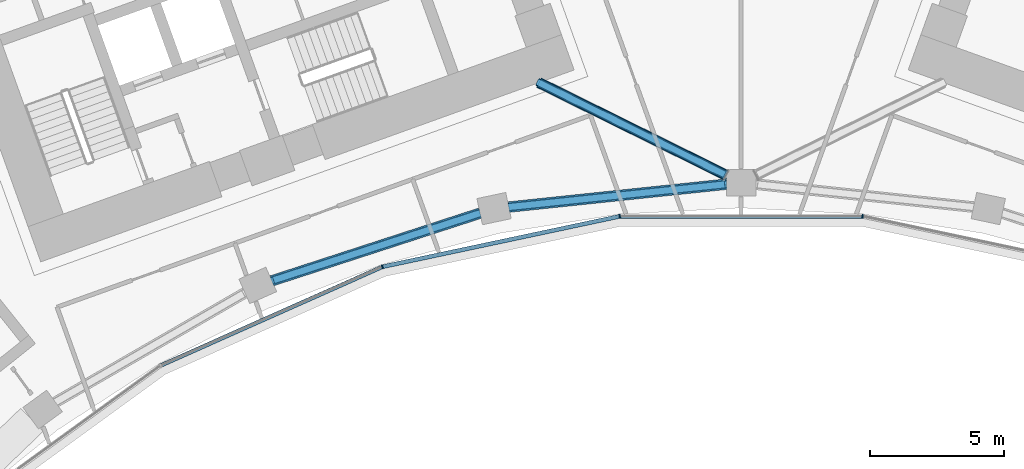
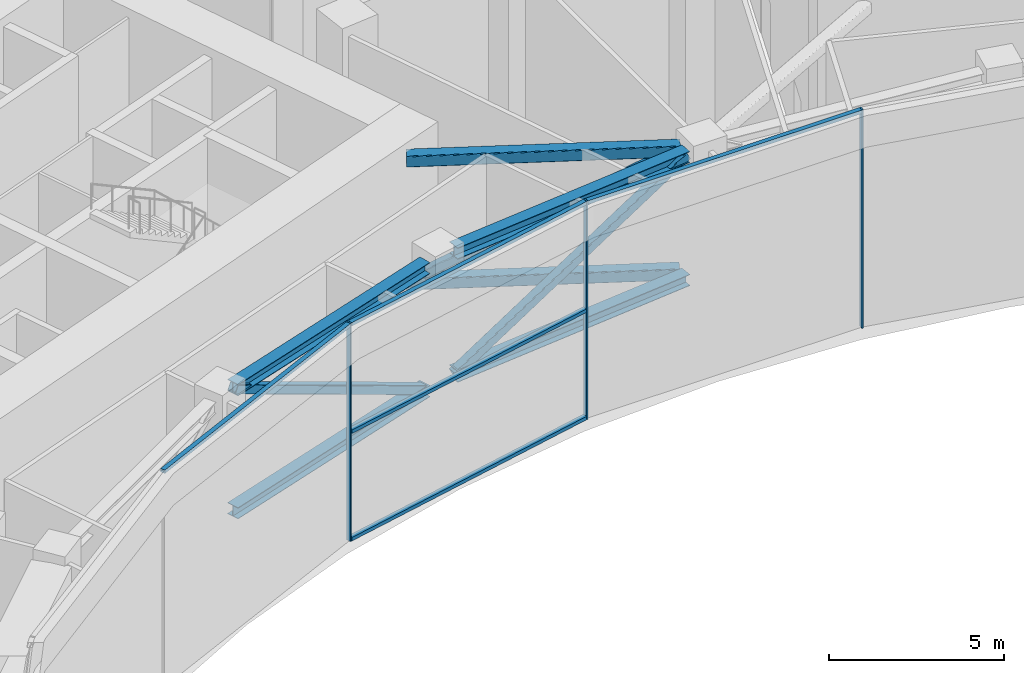
# One storey, part 5 of 32: 17 members, 1 element without a shape of its own.
"""IFC4 building model written with IfcOpenShell, lengths in metres."""

import ifcopenshell
import ifcopenshell.guid

model = None  # the IFC model being written
_history = None  # IfcOwnerHistory: only IFC2X3 demands one
_inside = {}  # id of a spatial element -> (the spatial element, [elements in it])
_under = {}  # id of a project, library or spatial element -> (it, [spatial elements below it])
_declared = {}  # id of a project -> (the project, [libraries it declares])
_typed = {}  # id of a type object -> (the type object, [elements of that type])
_made_of = {}  # id of a material, layer set ... -> (it, [elements and type objects made of it])


def new_model(schema):
    """Start an empty IFC model of exactly this schema.

    Asked for "IFC4X3", IfcOpenShell would pick the latest addendum, in which some entities
    have other attributes; the version numbers below select the first issue.
    IFC2X3 requires an IfcOwnerHistory on every rooted entity: one is made here for all.
    """
    global model, _history
    if schema == "IFC4X3":
        model = ifcopenshell.file(schema_version=(4, 3, 0, 0))
    else:
        model = ifcopenshell.file(schema=schema)
    _inside.clear()
    _under.clear()
    _declared.clear()
    _typed.clear()
    _made_of.clear()
    _history = None
    if model.schema == "IFC2X3":
        org = make("IfcOrganization", Name="unknown")
        user = make(
            "IfcPersonAndOrganization",
            ThePerson=make("IfcPerson", FamilyName="unknown"),
            TheOrganization=org,
        )
        app = make(
            "IfcApplication",
            ApplicationDeveloper=org,
            Version="unknown",
            ApplicationFullName="unknown",
            ApplicationIdentifier="unknown",
        )
        _history = make(
            "IfcOwnerHistory",
            OwningUser=user,
            OwningApplication=app,
            ChangeAction="ADDED",
            CreationDate=0,
        )
    return model


def make(cls, **values):
    """One entity of the class cls with the attributes given. An attribute that is None is left unset."""
    return model.create_entity(
        cls, **{name: value for name, value in values.items() if value is not None}
    )


def rooted(cls, **values):
    """An entity with a GlobalId (a new one), such as an element, a storey or a relation."""
    return make(cls, GlobalId=ifcopenshell.guid.new(), OwnerHistory=_history, **values)


def si_unit(unit_type, name, prefix=None):
    """IfcSIUnit, for example si_unit("LENGTHUNIT", "METRE", prefix="MILLI")."""
    return make("IfcSIUnit", UnitType=unit_type, Prefix=prefix, Name=name)


def assignment(units):
    """IfcUnitAssignment: the units of a project."""
    return None if units is None else make("IfcUnitAssignment", Units=units)


def point(xyz):
    """IfcCartesianPoint."""
    return None if xyz is None else make("IfcCartesianPoint", Coordinates=xyz)


def direction(xyz):
    """IfcDirection."""
    return None if xyz is None else make("IfcDirection", DirectionRatios=xyz)


def frame(location, z_axis=None, x_axis=None):
    """IfcAxis2Placement3D, a coordinate frame: its origin and axes. An axis left out is left unset."""
    return make(
        "IfcAxis2Placement3D",
        Location=point(location),
        Axis=direction(z_axis),
        RefDirection=direction(x_axis),
    )


def frame_2d(location, x_axis=None):
    """IfcAxis2Placement2D, a coordinate frame in the plane: its origin and x axis."""
    return make(
        "IfcAxis2Placement2D", Location=point(location), RefDirection=direction(x_axis)
    )


def origin():
    """The frame at (0, 0, 0) with its axes left unset."""
    return frame((0.0, 0.0, 0.0))


def origin_2d():
    """The frame at (0, 0) in the plane with its x axis left unset."""
    return frame_2d((0.0, 0.0))


def place(relative_to, where):
    """IfcLocalPlacement: puts the frame where relative to a parent placement (None: the world)."""
    return make(
        "IfcLocalPlacement", PlacementRelTo=relative_to, RelativePlacement=where
    )


def context(
    kind, dimensions, precision=None, world=None, true_north=None, identifier=None
):
    """IfcGeometricRepresentationContext, for example the 3D "Model" context."""
    return make(
        "IfcGeometricRepresentationContext",
        ContextIdentifier=identifier,
        ContextType=kind,
        CoordinateSpaceDimension=dimensions,
        Precision=precision,
        WorldCoordinateSystem=world,
        TrueNorth=true_north,
    )


def subcontext(parent, identifier, kind, view, scale=None):
    """IfcGeometricRepresentationSubContext, for example "Body" below "Model"."""
    return make(
        "IfcGeometricRepresentationSubContext",
        ContextIdentifier=identifier,
        ContextType=kind,
        ParentContext=parent,
        TargetScale=scale,
        TargetView=view,
    )


def project(units=None, contexts=None):
    """IfcProject with its units and contexts."""
    return rooted(
        "IfcProject",
        Name="project",
        RepresentationContexts=contexts,
        UnitsInContext=assignment(units),
    )


def spatial(cls, under=None, at=None, **own):
    """A site, building, storey or space (cls), placed at a placement, below another one or the project."""
    s = rooted(cls, ObjectPlacement=at, **own)
    if under is not None:
        _under.setdefault(under.id(), (under, []))[1].append(s)
    return s


def profile(cls, at=None, kind="AREA", **sizes):
    """A parametric profile (cls). Its sizes go by their IFC names, for example OverallWidth=200.0."""
    return make(cls, ProfileType=kind, Position=at, **sizes)


def rectangle(**sizes):
    """IfcRectangleProfileDef."""
    return profile("IfcRectangleProfileDef", **sizes)


def hollow_rectangle(**sizes):
    """IfcRectangleHollowProfileDef."""
    return profile("IfcRectangleHollowProfileDef", **sizes)


def i_section(**sizes):
    """IfcIShapeProfileDef."""
    return profile("IfcIShapeProfileDef", **sizes)


def extrude(swept, where, along, depth):
    """IfcExtrudedAreaSolid: the profile swept, set in the frame where, extruded along a direction by depth."""
    return make(
        "IfcExtrudedAreaSolid",
        SweptArea=swept,
        Position=where,
        ExtrudedDirection=direction(along),
        Depth=depth,
    )


def shape(context_of_items, identifier, shape_type, items):
    """IfcShapeRepresentation: the items that make up one representation, for example the "Body"."""
    return make(
        "IfcShapeRepresentation",
        ContextOfItems=context_of_items,
        RepresentationIdentifier=identifier,
        RepresentationType=shape_type,
        Items=items,
    )


def material(Name=None, Category=None):
    """IfcMaterial."""
    return make("IfcMaterial", Name=Name, Category=Category)


def layer(
    of_material, thickness, ventilated=None, Name=None, Category=None, Priority=None
):
    """IfcMaterialLayer: one layer of a wall or slab, of a material (None: an air gap)."""
    return make(
        "IfcMaterialLayer",
        Material=of_material,
        LayerThickness=thickness,
        IsVentilated=ventilated,
        Name=Name,
        Category=Category,
        Priority=Priority,
    )


def layer_set(layers, Name=None):
    """IfcMaterialLayerSet."""
    return make("IfcMaterialLayerSet", MaterialLayers=layers, LayerSetName=Name)


def material_profile(
    of_material, cross_section, Name=None, Category=None, Priority=None
):
    """IfcMaterialProfile: a cross section and its material."""
    return make(
        "IfcMaterialProfile",
        Name=Name,
        Material=of_material,
        Profile=cross_section,
        Priority=Priority,
        Category=Category,
    )


def profile_set(profiles, Name=None, composite=None):
    """IfcMaterialProfileSet."""
    return make(
        "IfcMaterialProfileSet",
        Name=Name,
        MaterialProfiles=profiles,
        CompositeProfile=composite,
    )


def made_of(thing, what):
    """Note that an element or type object is made of a material, layer set ...; save() writes the relation."""
    if what is not None:
        _made_of.setdefault(what.id(), (what, []))[1].append(thing)
    return thing


def type_object(cls, material=None, **own):
    """A type object (cls), such as IfcWallType, which elements share."""
    return made_of(rooted(cls, **own), material)


def element(
    cls,
    number,
    at=None,
    inside=None,
    cuts=None,
    type_object=None,
    material=None,
    context=None,
    identifier="Body",
    shape_type=None,
    held_by="IfcProductDefinitionShape",
    body=None,
    shapes=None,
    **own,
):
    """One element of the class cls, such as IfcWall. Its Tag is "e" and its number.

    at: its placement. inside: the storey or other place that contains it. cuts: it is an
    opening in that element (IfcRelVoidsElement). A single representation is given by context,
    identifier, shape_type and body (its items); several are given by shapes. held_by: the class
    of the entity that holds the representations. save() writes the other relations.
    """
    e = rooted(cls, Tag="e%d" % number, ObjectPlacement=at, **own)
    if body is not None:
        shapes = [shape(context, identifier, shape_type, body)]
    if shapes is not None:
        e.Representation = make(held_by, Representations=shapes)
    if inside is not None:
        _inside.setdefault(inside.id(), (inside, []))[1].append(e)
    if cuts is not None:
        rooted(
            "IfcRelVoidsElement", RelatingBuildingElement=cuts, RelatedOpeningElement=e
        )
    if type_object is not None:
        _typed.setdefault(type_object.id(), (type_object, []))[1].append(e)
    return made_of(e, material)


def aggregate(whole, parts):
    """IfcRelAggregates: a whole, such as a stair, and the parts it consists of."""
    return rooted("IfcRelAggregates", RelatingObject=whole, RelatedObjects=parts)


def save(model, path):
    """Write the relations noted so far, then the file.

    IfcRelAggregates (storeys below a building ...), IfcRelContainedInSpatialStructure (elements
    in a storey), IfcRelDefinesByType, IfcRelAssociatesMaterial and IfcRelDeclares: one each for
    every whole, place, type object, material and project.
    """
    for whole, parts in _under.values():
        aggregate(whole, parts)
    for where, things in _inside.values():
        rooted(
            "IfcRelContainedInSpatialStructure",
            RelatedElements=things,
            RelatingStructure=where,
        )
    for kind, things in _typed.values():
        rooted("IfcRelDefinesByType", RelatedObjects=things, RelatingType=kind)
    for what, things in _made_of.values():
        rooted("IfcRelAssociatesMaterial", RelatedObjects=things, RelatingMaterial=what)
    for by, libraries in _declared.values():
        rooted("IfcRelDeclares", RelatingContext=by, RelatedDefinitions=libraries)
    model.write(path)


model = new_model("IFC4")

# Units and contexts
model_context = context("Model", 3, precision=1e-05, world=origin(), true_north=direction((0.0, 1.0)))
body_context = subcontext(model_context, "Body", "Model", "MODEL_VIEW")
ifc_project = project(units=[si_unit("LENGTHUNIT", "METRE"), si_unit("AREAUNIT", "SQUARE_METRE"), si_unit("VOLUMEUNIT", "CUBIC_METRE"), si_unit("PLANEANGLEUNIT", "RADIAN"), si_unit("MASSUNIT", "GRAM", prefix="KILO")], contexts=[model_context])

# Site, building, storey
site_placement = place(None, origin())
site = spatial("IfcSite", under=ifc_project, at=site_placement, CompositionType="ELEMENT")
building_placement = place(site_placement, origin())
building = spatial("IfcBuilding", under=site, at=building_placement, Name="Stone Belt Terrace Tower", CompositionType="ELEMENT")
storey_placement = place(building_placement, frame((0.0, 0.0, 193.39990234375)))
storey = spatial("IfcBuildingStorey", under=building, at=storey_placement, Name="L47", CompositionType="ELEMENT", Elevation=193.39990234375)

# Members
ifc_material_1 = material(Name="Structural steel C345", Category="steel")
ifc_material_profile_1 = material_profile(ifc_material_1, i_section(OverallWidth=0.39794921875, OverallDepth=0.39404296875, WebThickness=0.010986328125, FlangeThickness=0.01806640625, at=origin_2d()), Name="I 40K1")
ifc_profile_set_1 = profile_set([ifc_material_profile_1], Name="Structural steel C345")
member_type_1 = type_object("IfcMemberType", Name="Belt chord I 40K1", PredefinedType="CHORD", material=ifc_profile_set_1)
for number, where, z_axis, x_axis, name in (
    (1, (-17.551513671875, 40.7734375, 7.0830078125), (0.951054012412, 0.30902470043, 0.0), (-0.30902470043, 0.951054012412, 0.0), "Belt truss T3 ring P top chord 3"),
    (2, (-17.551513671875, 40.7734375, 2.797119140625), (0.951054012412, 0.30902470043, 0.0), (-0.30902470043, 0.951054012412, 0.0), "Belt truss T3 ring P bot chord 3"),
    (3, (-8.690673828125, 43.531494140625, 7.0830078125), (0.99452064148, 0.104540392526, 0.0), (-0.104540392526, 0.99452064148, 0.0), "Belt truss T3 ring P top chord 4"),
    (4, (-8.690673828125, 43.531494140625, 2.797119140625), (0.99452064148, 0.104540392526, 0.0), (-0.104540392526, 0.99452064148, 0.0), "Belt truss T3 ring P bot chord 4"),
):
    element("IfcMember", number, at=place(storey_placement, frame(where, z_axis=z_axis, x_axis=x_axis)), inside=storey, type_object=member_type_1, Name=name, PredefinedType="CHORD", context=body_context, shape_type="SweptSolid", body=[
        extrude(i_section(OverallWidth=0.39794921875, OverallDepth=0.39404296875, WebThickness=0.010986328125, FlangeThickness=0.01806640625, at=origin_2d()), origin(), (0.0, 0.0, 1.0), 8.185546875),
    ])
ifc_material_profile_2 = material_profile(ifc_material_1, hollow_rectangle(XDim=0.300048828125, YDim=0.300048828125, WallThickness=0.011962890625, InnerFilletRadius=0.02392578125, OuterFilletRadius=0.035888671875, at=origin_2d()), Name="SHS 300x300x12")
ifc_profile_set_2 = profile_set([ifc_material_profile_2], Name="Structural steel C345")
member_type_2 = type_object("IfcMemberType", Name="Belt diagonal SHS 300x300x12", PredefinedType="BRACE", material=ifc_profile_set_2)
for number, where, z_axis, x_axis, name in (
    (5, (-17.551513671875, 40.7734375, 7.0830078125), (0.842549225888, 0.273768386158, -0.463855228164), (-0.30902470043, 0.951054012412, 0.0), "Belt truss T3 ring P diagonal 3"),
    (6, (-8.690673828125, 43.531494140625, 2.797119140625), (0.881054790561, 0.092613274979, 0.463859070546), (-0.104540392526, 0.99452064148, 0.0), "Belt truss T3 ring P diagonal 4"),
):
    element("IfcMember", number, at=place(storey_placement, frame(where, z_axis=z_axis, x_axis=x_axis)), inside=storey, type_object=member_type_2, Name=name, PredefinedType="BRACE", context=body_context, shape_type="SweptSolid", body=[
        extrude(hollow_rectangle(XDim=0.300048828125, YDim=0.300048828125, WallThickness=0.011962890625, InnerFilletRadius=0.02392578125, OuterFilletRadius=0.035888671875, at=origin_2d()), origin(), (0.0, 0.0, 1.0), 9.23974609375),
    ])

# Curtain wall, members
ifc_material_2 = material(Name="Aluminium 6063-T6 anodised frame", Category="aluminium")
ifc_layer = layer(ifc_material_2, 0.14990234375)
ifc_layer_set = layer_set([ifc_layer], Name="CW-B unitised concave-face curtain wall")
curtain_wall_type = type_object("IfcCurtainWallType", Name="CW-B unitised concave-face curtain wall", PredefinedType="NOTDEFINED", material=ifc_layer_set)
curtain_wall_placement = place(storey_placement, origin())
curtain_wall = element("IfcCurtainWall", 7, at=curtain_wall_placement, inside=storey, type_object=curtain_wall_type, Name="CW-B concave face L47", PredefinedType="NOTDEFINED")
ifc_material_profile_3 = material_profile(ifc_material_2, rectangle(XDim=0.14990234375, YDim=0.050048828125, at=origin_2d()), Name="Aluminium 6063-T6 50x150")
ifc_profile_set_3 = profile_set([ifc_material_profile_3], Name="Aluminium 6063-T6 anodised frame")
member_type_3 = type_object("IfcMemberType", Name="CW-B mullion 50 x 150", PredefinedType="MULLION", material=ifc_profile_set_3)
member_1_placement = place(storey_placement, frame((-13.4189453125, 41.29931640625, 0.0), z_axis=(0.0, 0.0, 1.0), x_axis=(-0.309016994375, 0.951056516295, 0.0)))
member_1 = element("IfcMember", 8, at=member_1_placement, type_object=member_type_3, Name="CW-B mullion 4", PredefinedType="MULLION", context=body_context, shape_type="SweptSolid", body=[
    extrude(rectangle(XDim=0.14990234375, YDim=0.050048828125, at=origin_2d()), origin(), (0.0, 0.0, 1.0), 7.60009765625),
])
member_2_placement = place(storey_placement, frame((-4.5390625, 43.186767578125, 0.0), z_axis=(0.0, 0.0, 1.0), x_axis=(-0.104528463268, 0.994521895368, 0.0)))
member_2 = element("IfcMember", 9, at=member_2_placement, type_object=member_type_3, Name="CW-B mullion 5", PredefinedType="MULLION", context=body_context, shape_type="SweptSolid", body=[
    extrude(rectangle(XDim=0.14990234375, YDim=0.050048828125, at=origin_2d()), origin(), (0.0, 0.0, 1.0), 7.60009765625),
])
member_3_placement = place(storey_placement, frame((4.5390625, 43.186767578125, 0.0), z_axis=(0.0, 0.0, 1.0), x_axis=(0.104528463268, 0.994521895368, 0.0)))
member_3 = element("IfcMember", 10, at=member_3_placement, type_object=member_type_3, Name="CW-B mullion 6", PredefinedType="MULLION", context=body_context, shape_type="SweptSolid", body=[
    extrude(rectangle(XDim=0.14990234375, YDim=0.050048828125, at=origin_2d()), origin(), (0.0, 0.0, 1.0), 7.60009765625),
])
ifc_material_profile_4 = material_profile(ifc_material_2, rectangle(XDim=0.14990234375, YDim=0.1201171875, at=origin_2d()), Name="Aluminium 6063-T6 150x120")
ifc_profile_set_4 = profile_set([ifc_material_profile_4], Name="Aluminium 6063-T6 anodised frame")
member_type_4 = type_object("IfcMemberType", Name="CW-B transom 120 x 150", PredefinedType="USERDEFINED", material=ifc_profile_set_4)
member_4_placement = place(storey_placement, frame((-21.682373046875, 37.6201171875, 7.5400390625), z_axis=(0.913548853737, 0.406729015237, 0.0), x_axis=(-0.406729015237, 0.913548853737, 0.0)))
member_4 = element("IfcMember", 11, at=member_4_placement, type_object=member_type_4, Name="CW-B transom 3.1", ObjectType="TRANSOM", PredefinedType="USERDEFINED", context=body_context, shape_type="SweptSolid", body=[
    extrude(rectangle(XDim=0.14990234375, YDim=0.1201171875, at=origin_2d()), origin(), (0.0, 0.0, 1.0), 9.0126953125),
])
member_5_placement = place(storey_placement, frame((-13.386962890625, 41.30615234375, 0.06005859375), z_axis=(0.9781499003, 0.207900871914, 0.0), x_axis=(-0.207900871914, 0.9781499003, 0.0)))
member_5 = element("IfcMember", 12, at=member_5_placement, type_object=member_type_4, Name="CW-B transom 4.1", ObjectType="TRANSOM", PredefinedType="USERDEFINED", context=body_context, shape_type="SweptSolid", body=[
    extrude(rectangle(XDim=0.14990234375, YDim=0.1201171875, at=origin_2d()), origin(), (0.0, 0.0, 1.0), 9.012939453125),
])
member_6_placement = place(storey_placement, frame((-13.386962890625, 41.30615234375, 3.800048828125), z_axis=(0.9781499003, 0.207900871914, 0.0), x_axis=(-0.207900871914, 0.9781499003, 0.0)))
member_6 = element("IfcMember", 13, at=member_6_placement, type_object=member_type_4, Name="CW-B transom 4.2", ObjectType="TRANSOM", PredefinedType="USERDEFINED", context=body_context, shape_type="SweptSolid", body=[
    extrude(rectangle(XDim=0.14990234375, YDim=0.1201171875, at=origin_2d()), origin(), (0.0, 0.0, 1.0), 9.012939453125),
])
member_7_placement = place(storey_placement, frame((-13.386962890625, 41.30615234375, 7.5400390625), z_axis=(0.9781499003, 0.207900871914, 0.0), x_axis=(-0.207900871914, 0.9781499003, 0.0)))
member_7 = element("IfcMember", 14, at=member_7_placement, type_object=member_type_4, Name="CW-B transom 4.3", ObjectType="TRANSOM", PredefinedType="USERDEFINED", context=body_context, shape_type="SweptSolid", body=[
    extrude(rectangle(XDim=0.14990234375, YDim=0.1201171875, at=origin_2d()), origin(), (0.0, 0.0, 1.0), 9.012939453125),
])
member_8_placement = place(storey_placement, frame((-4.50634765625, 43.186767578125, 7.5400390625), z_axis=(1.0, 0.0, 0.0), x_axis=(0.0, 1.0, 0.0)))
member_8 = element("IfcMember", 15, at=member_8_placement, type_object=member_type_4, Name="CW-B transom 5.1", ObjectType="TRANSOM", PredefinedType="USERDEFINED", context=body_context, shape_type="SweptSolid", body=[
    extrude(rectangle(XDim=0.14990234375, YDim=0.1201171875, at=origin_2d()), origin(), (0.0, 0.0, 1.0), 9.0126953125),
])
aggregate(curtain_wall, [member_1, member_2, member_3, member_4, member_5, member_6, member_7, member_8])

# Members
ifc_material_profile_5 = material_profile(ifc_material_1, hollow_rectangle(XDim=0.39990234375, YDim=0.39990234375, WallThickness=0.01611328125, InnerFilletRadius=0.031982421875, OuterFilletRadius=0.048095703125, at=origin_2d()), Name="SHS 400x400x16")
ifc_profile_set_5 = profile_set([ifc_material_profile_5], Name="Structural steel C345")
member_type_5 = type_object("IfcMemberType", Name="Outrigger chord SHS 400x400x16", PredefinedType="CHORD", material=ifc_profile_set_5)
member_9_placement = place(storey_placement, frame((-0.550048828125, 44.717041015625, 7.080078125), z_axis=(-0.896378106265, 0.443290300603, 0.0), x_axis=(-0.443290300603, -0.896378106265, 0.0)))
element("IfcMember", 16, at=member_9_placement, inside=storey, type_object=member_type_5, Name="Outrigger T3 coreA-mid-P top chord 1", PredefinedType="CHORD", context=body_context, shape_type="SweptSolid", body=[
    extrude(hollow_rectangle(XDim=0.39990234375, YDim=0.39990234375, WallThickness=0.01611328125, InnerFilletRadius=0.031982421875, OuterFilletRadius=0.048095703125, at=origin_2d()), origin(), (0.0, 0.0, 1.0), 7.824462890625),
])
member_10_placement = place(storey_placement, frame((-0.56787109375, 44.725830078125, 2.800048828125), z_axis=(-0.896376850199, 0.443292840487, 0.0), x_axis=(-0.443292840487, -0.896376850199, 0.0)))
element("IfcMember", 17, at=member_10_placement, inside=storey, type_object=member_type_5, Name="Outrigger T3 coreA-mid-P bot chord 1", PredefinedType="CHORD", context=body_context, shape_type="SweptSolid", body=[
    extrude(hollow_rectangle(XDim=0.39990234375, YDim=0.39990234375, WallThickness=0.01611328125, InnerFilletRadius=0.031982421875, OuterFilletRadius=0.048095703125, at=origin_2d()), origin(), (0.0, 0.0, 1.0), 7.8046875),
])
ifc_material_profile_6 = material_profile(ifc_material_1, hollow_rectangle(XDim=0.300048828125, YDim=0.300048828125, WallThickness=0.01611328125, InnerFilletRadius=0.031982421875, OuterFilletRadius=0.048095703125, at=origin_2d()), Name="SHS 300x300x16")
ifc_profile_set_6 = profile_set([ifc_material_profile_6], Name="Structural steel C345")
member_type_6 = type_object("IfcMemberType", Name="Outrigger diagonal SHS 300x300x16", PredefinedType="BRACE", material=ifc_profile_set_6)
member_11_placement = place(storey_placement, frame((-0.550048828125, 44.717041015625, 7.080078125), z_axis=(-0.786412720976, 0.388908574454, -0.479901190874), x_axis=(-0.443290300603, -0.896378106265, 0.0)))
element("IfcMember", 18, at=member_11_placement, inside=storey, type_object=member_type_6, Name="Outrigger T3 coreA-mid-P diagonal 1", PredefinedType="BRACE", context=body_context, shape_type="SweptSolid", body=[
    extrude(hollow_rectangle(XDim=0.300048828125, YDim=0.300048828125, WallThickness=0.01611328125, InnerFilletRadius=0.031982421875, OuterFilletRadius=0.048095703125, at=origin_2d()), origin(), (0.0, 0.0, 1.0), 8.91845703125),
])

save(model, "model.ifc")
